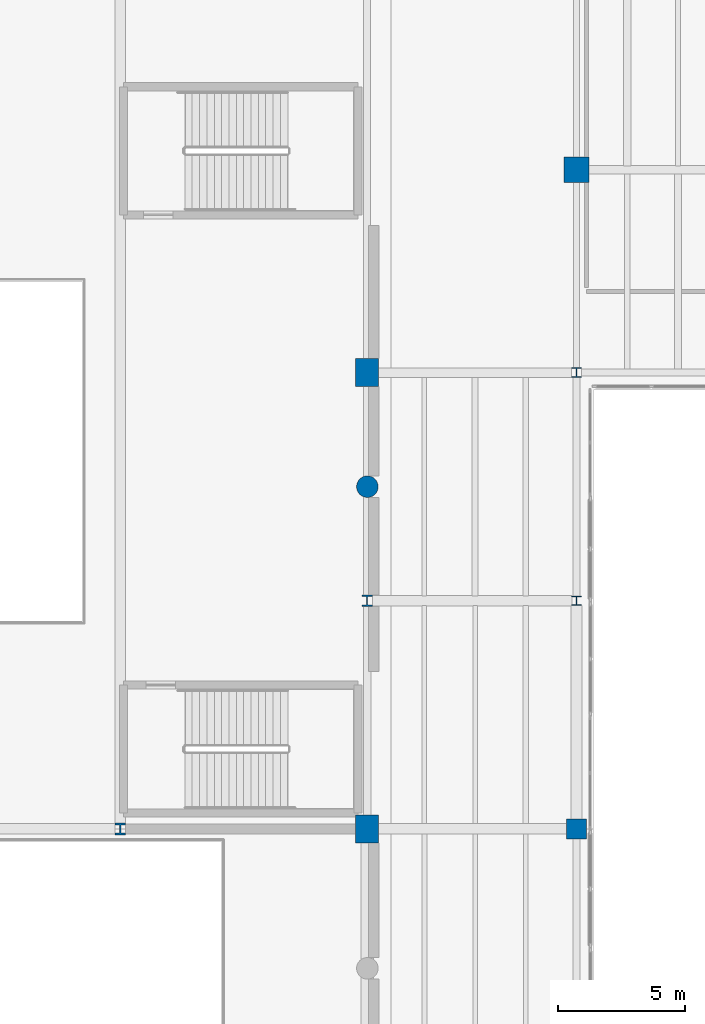
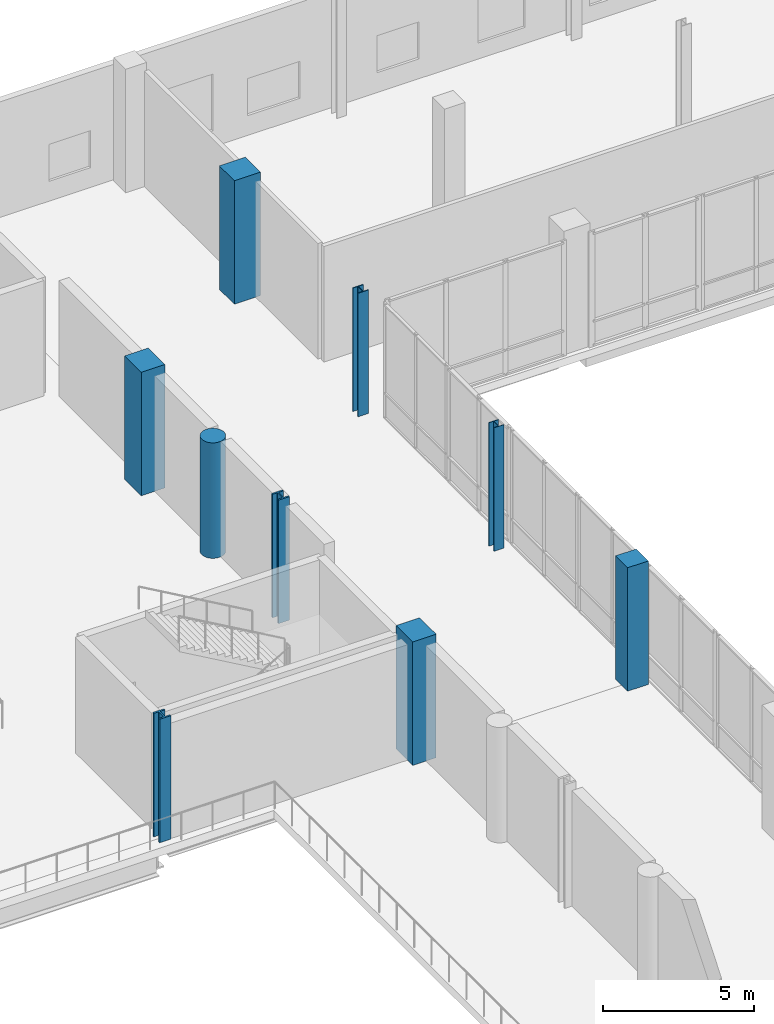
# One storey, part 11 of 81: 9 columns.
"""IFC4 building model written with IfcOpenShell, lengths in metres."""

from ifc_helpers import new_model, si_unit, direction, frame, origin, origin_2d, place, context, subcontext, project, spatial, rectangle, circle, i_section, extrude, material, material_profile, profile_set, type_object, element, save


model = new_model("IFC4")

# Units and contexts
model_context = context("Model", 3, precision=1e-05, world=origin(), true_north=direction((0.0, 1.0)))
body_context = subcontext(model_context, "Body", "Model", "MODEL_VIEW")
ifc_project = project(units=[si_unit("LENGTHUNIT", "METRE"), si_unit("AREAUNIT", "SQUARE_METRE"), si_unit("VOLUMEUNIT", "CUBIC_METRE"), si_unit("PLANEANGLEUNIT", "RADIAN"), si_unit("MASSUNIT", "GRAM", prefix="KILO")], contexts=[model_context])

# Site, building, storey
site_placement = place(None, origin())
site = spatial("IfcSite", under=ifc_project, at=site_placement, CompositionType="ELEMENT")
building_placement = place(site_placement, origin())
building = spatial("IfcBuilding", under=site, at=building_placement, Name="Trimount Lyric Opera House", CompositionType="ELEMENT")
storey_placement = place(building_placement, frame((0.0, 0.0, 5.0)))
storey = spatial("IfcBuildingStorey", under=building, at=storey_placement, Name="L01", CompositionType="ELEMENT", Elevation=5.0)

# Columns
ifc_material_1 = material(Name="Steel ASTM A992 Grade 50", Category="steel")
ifc_material_profile_1 = material_profile(ifc_material_1, i_section(OverallWidth=0.422119140625, OverallDepth=0.465087890625, WebThickness=0.044921875, FlangeThickness=0.072509765625, FilletRadius=0.02001953125, at=origin_2d()), Name="W14X398")
ifc_profile_set_1 = profile_set([ifc_material_profile_1], Name="Steel ASTM A992 Grade 50")
column_type_1 = type_object("IfcColumnType", Name="C-01", PredefinedType="COLUMN", material=ifc_profile_set_1)
for number, where, z_axis, x_axis, name in (
    (1, (104.0, 84.0, 0.0), (0.0, 0.0, 1.0), (1.0, 0.0, 0.0), "L01 column 12/K"),
    (2, (113.739990234375, 93.0, 0.0), (0.0, 0.0, 1.0), (1.0, 0.0, 0.0), "L01 column 13/L"),
):
    element("IfcColumn", number, at=place(storey_placement, frame(where, z_axis=z_axis, x_axis=x_axis)), inside=storey, type_object=column_type_1, Name=name, PredefinedType="COLUMN", context=body_context, shape_type="SweptSolid", body=[
        extrude(i_section(OverallWidth=0.422119140625, OverallDepth=0.465087890625, WebThickness=0.044921875, FlangeThickness=0.072509765625, FilletRadius=0.02001953125, at=origin_2d()), origin(), (0.0, 0.0, 1.0), 5.0),
    ])
ifc_material_2 = material(Name="Steel ASTM A992 Grade 50", Category="steel")
ifc_material_profile_2 = material_profile(ifc_material_2, i_section(OverallWidth=0.39892578125, OverallDepth=0.385986328125, WebThickness=0.02099609375, FlangeThickness=0.033203125, FilletRadius=0.01611328125, at=origin_2d()), Name="W14X176")
ifc_profile_set_2 = profile_set([ifc_material_profile_2], Name="Steel ASTM A992 Grade 50")
column_type_2 = type_object("IfcColumnType", Name="C-03", PredefinedType="COLUMN", material=ifc_profile_set_2)
column_1_placement = place(storey_placement, frame((122.0, 102.0, 0.0), z_axis=(0.0, 0.0, 1.0), x_axis=(1.0, 0.0, 0.0)))
element("IfcColumn", 3, at=column_1_placement, inside=storey, type_object=column_type_2, Name="L01 column 14/M", PredefinedType="COLUMN", context=body_context, shape_type="SweptSolid", body=[
    extrude(i_section(OverallWidth=0.39892578125, OverallDepth=0.385986328125, WebThickness=0.02099609375, FlangeThickness=0.033203125, FilletRadius=0.01611328125, at=origin_2d()), origin(), (0.0, 0.0, 1.0), 5.0),
])
ifc_material_3 = material(Name="Steel ASTM A992 Grade 50", Category="steel")
ifc_material_profile_3 = material_profile(ifc_material_3, i_section(OverallWidth=0.373046875, OverallDepth=0.367919921875, WebThickness=0.014892578125, FlangeThickness=0.02392578125, FilletRadius=0.014892578125, at=origin_2d()), Name="W14X120")
ifc_profile_set_3 = profile_set([ifc_material_profile_3], Name="Steel ASTM A992 Grade 50")
column_type_3 = type_object("IfcColumnType", Name="C-08", PredefinedType="COLUMN", material=ifc_profile_set_3)
column_2_placement = place(storey_placement, frame((122.0, 93.0, 0.0), z_axis=(0.0, 0.0, 1.0), x_axis=(1.0, 0.0, 0.0)))
element("IfcColumn", 4, at=column_2_placement, inside=storey, type_object=column_type_3, Name="L01 column 14/L", PredefinedType="COLUMN", context=body_context, shape_type="SweptSolid", body=[
    extrude(i_section(OverallWidth=0.373046875, OverallDepth=0.367919921875, WebThickness=0.014892578125, FlangeThickness=0.02392578125, FilletRadius=0.014892578125, at=origin_2d()), origin(), (0.0, 0.0, 1.0), 5.0),
])
ifc_material_4 = material(Name="Concrete C50/60", Category="concrete")
ifc_material_profile_4 = material_profile(ifc_material_4, rectangle(XDim=0.89990234375, YDim=1.10009765625, at=origin_2d()), Name="RC1100X900")
ifc_profile_set_4 = profile_set([ifc_material_profile_4], Name="Concrete C50/60")
column_type_4 = type_object("IfcColumnType", Name="C-11", PredefinedType="COLUMN", material=ifc_profile_set_4)
for number, where, z_axis, x_axis, name in (
    (5, (113.739990234375, 84.0, 0.0), (0.0, 0.0, 1.0), (1.0, 0.0, 0.0), "L01 column 13/K"),
    (6, (113.739990234375, 102.0, 0.0), (0.0, 0.0, 1.0), (1.0, 0.0, 0.0), "L01 column 13/M"),
):
    element("IfcColumn", number, at=place(storey_placement, frame(where, z_axis=z_axis, x_axis=x_axis)), inside=storey, type_object=column_type_4, Name=name, PredefinedType="COLUMN", context=body_context, shape_type="SweptSolid", body=[
        extrude(rectangle(XDim=0.89990234375, YDim=1.10009765625, at=origin_2d()), origin(), (0.0, 0.0, 1.0), 5.0),
    ])
ifc_material_5 = material(Name="Concrete C50/60", Category="concrete")
ifc_material_profile_5 = material_profile(ifc_material_5, rectangle(XDim=1.0, YDim=1.0, at=origin_2d()), Name="RC1000X1000")
ifc_profile_set_5 = profile_set([ifc_material_profile_5], Name="Concrete C50/60")
column_type_5 = type_object("IfcColumnType", Name="C-12", PredefinedType="COLUMN", material=ifc_profile_set_5)
column_3_placement = place(storey_placement, frame((122.0, 110.0, 0.0), z_axis=(0.0, 0.0, 1.0), x_axis=(1.0, 0.0, 0.0)))
element("IfcColumn", 7, at=column_3_placement, inside=storey, type_object=column_type_5, Name="L01 column 14/N", PredefinedType="COLUMN", context=body_context, shape_type="SweptSolid", body=[
    extrude(rectangle(XDim=1.0, YDim=1.0, at=origin_2d()), origin(), (0.0, 0.0, 1.0), 5.0),
])
ifc_material_6 = material(Name="Concrete C40/50", Category="concrete")
ifc_material_profile_6 = material_profile(ifc_material_6, rectangle(XDim=0.800048828125, YDim=0.800048828125, at=origin_2d()), Name="RC800X800")
ifc_profile_set_6 = profile_set([ifc_material_profile_6], Name="Concrete C40/50")
column_type_6 = type_object("IfcColumnType", Name="C-14", PredefinedType="COLUMN", material=ifc_profile_set_6)
column_4_placement = place(storey_placement, frame((122.0, 84.0, 0.0), z_axis=(0.0, 0.0, 1.0), x_axis=(1.0, 0.0, 0.0)))
element("IfcColumn", 8, at=column_4_placement, inside=storey, type_object=column_type_6, Name="L01 column 14/K", PredefinedType="COLUMN", context=body_context, shape_type="SweptSolid", body=[
    extrude(rectangle(XDim=0.800048828125, YDim=0.800048828125, at=origin_2d()), origin(), (0.0, 0.0, 1.0), 5.0),
])
ifc_material_7 = material(Name="Concrete C50/60", Category="concrete")
ifc_material_profile_7 = material_profile(ifc_material_7, circle(Radius=0.425048828125, at=origin_2d()), Name="RC-D850")
ifc_profile_set_7 = profile_set([ifc_material_profile_7], Name="Concrete C50/60")
column_type_7 = type_object("IfcColumnType", Name="CP-02", PredefinedType="PILASTER", material=ifc_profile_set_7)
column_5_placement = place(storey_placement, frame((113.75, 97.5, 0.0), z_axis=(0.0, 0.0, 1.0), x_axis=(1.0, 0.0, 0.0)))
element("IfcColumn", 9, at=column_5_placement, inside=storey, type_object=column_type_7, Name="L01 acoustic shell pilaster E4", PredefinedType="PILASTER", context=body_context, shape_type="SweptSolid", body=[
    extrude(circle(Radius=0.425048828125, at=origin_2d()), origin(), (0.0, 0.0, 1.0), 4.675048828125),
])

save(model, "model.ifc")
